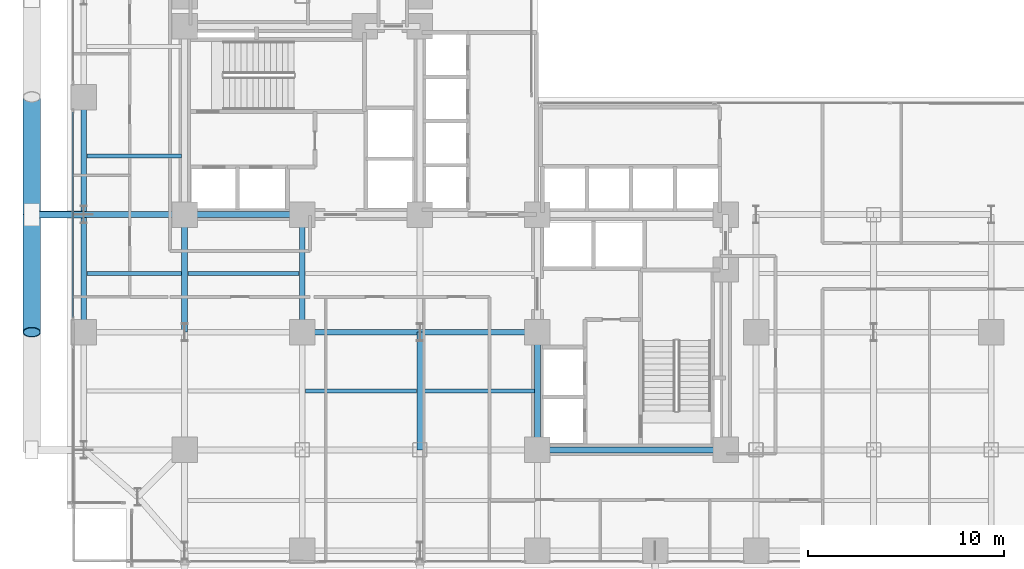
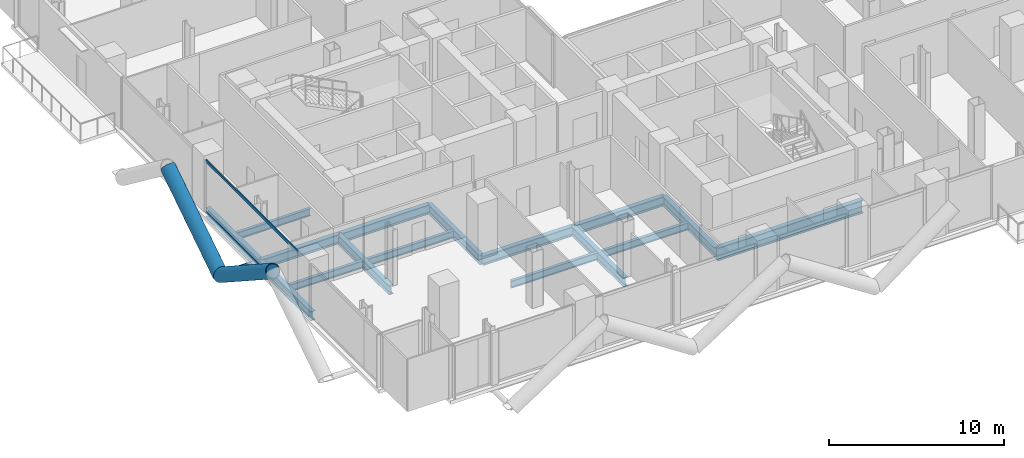
# One storey, part 4 of 27: 16 beams, 5 members, 1 element without a shape of its own.
"""IFC4 building model written with IfcOpenShell, lengths in metres."""

import ifcopenshell
import ifcopenshell.guid

model = None  # the IFC model being written
_history = None  # IfcOwnerHistory: only IFC2X3 demands one
_inside = {}  # id of a spatial element -> (the spatial element, [elements in it])
_under = {}  # id of a project, library or spatial element -> (it, [spatial elements below it])
_declared = {}  # id of a project -> (the project, [libraries it declares])
_typed = {}  # id of a type object -> (the type object, [elements of that type])
_made_of = {}  # id of a material, layer set ... -> (it, [elements and type objects made of it])


def new_model(schema):
    """Start an empty IFC model of exactly this schema.

    Asked for "IFC4X3", IfcOpenShell would pick the latest addendum, in which some entities
    have other attributes; the version numbers below select the first issue.
    IFC2X3 requires an IfcOwnerHistory on every rooted entity: one is made here for all.
    """
    global model, _history
    if schema == "IFC4X3":
        model = ifcopenshell.file(schema_version=(4, 3, 0, 0))
    else:
        model = ifcopenshell.file(schema=schema)
    _inside.clear()
    _under.clear()
    _declared.clear()
    _typed.clear()
    _made_of.clear()
    _history = None
    if model.schema == "IFC2X3":
        org = make("IfcOrganization", Name="unknown")
        user = make(
            "IfcPersonAndOrganization",
            ThePerson=make("IfcPerson", FamilyName="unknown"),
            TheOrganization=org,
        )
        app = make(
            "IfcApplication",
            ApplicationDeveloper=org,
            Version="unknown",
            ApplicationFullName="unknown",
            ApplicationIdentifier="unknown",
        )
        _history = make(
            "IfcOwnerHistory",
            OwningUser=user,
            OwningApplication=app,
            ChangeAction="ADDED",
            CreationDate=0,
        )
    return model


def make(cls, **values):
    """One entity of the class cls with the attributes given. An attribute that is None is left unset."""
    return model.create_entity(
        cls, **{name: value for name, value in values.items() if value is not None}
    )


def rooted(cls, **values):
    """An entity with a GlobalId (a new one), such as an element, a storey or a relation."""
    return make(cls, GlobalId=ifcopenshell.guid.new(), OwnerHistory=_history, **values)


def si_unit(unit_type, name, prefix=None):
    """IfcSIUnit, for example si_unit("LENGTHUNIT", "METRE", prefix="MILLI")."""
    return make("IfcSIUnit", UnitType=unit_type, Prefix=prefix, Name=name)


def assignment(units):
    """IfcUnitAssignment: the units of a project."""
    return None if units is None else make("IfcUnitAssignment", Units=units)


def point(xyz):
    """IfcCartesianPoint."""
    return None if xyz is None else make("IfcCartesianPoint", Coordinates=xyz)


def direction(xyz):
    """IfcDirection."""
    return None if xyz is None else make("IfcDirection", DirectionRatios=xyz)


def frame(location, z_axis=None, x_axis=None):
    """IfcAxis2Placement3D, a coordinate frame: its origin and axes. An axis left out is left unset."""
    return make(
        "IfcAxis2Placement3D",
        Location=point(location),
        Axis=direction(z_axis),
        RefDirection=direction(x_axis),
    )


def frame_2d(location, x_axis=None):
    """IfcAxis2Placement2D, a coordinate frame in the plane: its origin and x axis."""
    return make(
        "IfcAxis2Placement2D", Location=point(location), RefDirection=direction(x_axis)
    )


def origin():
    """The frame at (0, 0, 0) with its axes left unset."""
    return frame((0.0, 0.0, 0.0))


def origin_2d():
    """The frame at (0, 0) in the plane with its x axis left unset."""
    return frame_2d((0.0, 0.0))


def place(relative_to, where):
    """IfcLocalPlacement: puts the frame where relative to a parent placement (None: the world)."""
    return make(
        "IfcLocalPlacement", PlacementRelTo=relative_to, RelativePlacement=where
    )


def context(
    kind, dimensions, precision=None, world=None, true_north=None, identifier=None
):
    """IfcGeometricRepresentationContext, for example the 3D "Model" context."""
    return make(
        "IfcGeometricRepresentationContext",
        ContextIdentifier=identifier,
        ContextType=kind,
        CoordinateSpaceDimension=dimensions,
        Precision=precision,
        WorldCoordinateSystem=world,
        TrueNorth=true_north,
    )


def subcontext(parent, identifier, kind, view, scale=None):
    """IfcGeometricRepresentationSubContext, for example "Body" below "Model"."""
    return make(
        "IfcGeometricRepresentationSubContext",
        ContextIdentifier=identifier,
        ContextType=kind,
        ParentContext=parent,
        TargetScale=scale,
        TargetView=view,
    )


def project(units=None, contexts=None):
    """IfcProject with its units and contexts."""
    return rooted(
        "IfcProject",
        Name="project",
        RepresentationContexts=contexts,
        UnitsInContext=assignment(units),
    )


def spatial(cls, under=None, at=None, **own):
    """A site, building, storey or space (cls), placed at a placement, below another one or the project."""
    s = rooted(cls, ObjectPlacement=at, **own)
    if under is not None:
        _under.setdefault(under.id(), (under, []))[1].append(s)
    return s


def profile(cls, at=None, kind="AREA", **sizes):
    """A parametric profile (cls). Its sizes go by their IFC names, for example OverallWidth=200.0."""
    return make(cls, ProfileType=kind, Position=at, **sizes)


def hollow_rectangle(**sizes):
    """IfcRectangleHollowProfileDef."""
    return profile("IfcRectangleHollowProfileDef", **sizes)


def hollow_circle(**sizes):
    """IfcCircleHollowProfileDef."""
    return profile("IfcCircleHollowProfileDef", **sizes)


def i_section(**sizes):
    """IfcIShapeProfileDef."""
    return profile("IfcIShapeProfileDef", **sizes)


def extrude(swept, where, along, depth):
    """IfcExtrudedAreaSolid: the profile swept, set in the frame where, extruded along a direction by depth."""
    return make(
        "IfcExtrudedAreaSolid",
        SweptArea=swept,
        Position=where,
        ExtrudedDirection=direction(along),
        Depth=depth,
    )


def shape(context_of_items, identifier, shape_type, items):
    """IfcShapeRepresentation: the items that make up one representation, for example the "Body"."""
    return make(
        "IfcShapeRepresentation",
        ContextOfItems=context_of_items,
        RepresentationIdentifier=identifier,
        RepresentationType=shape_type,
        Items=items,
    )


def material(Name=None, Category=None):
    """IfcMaterial."""
    return make("IfcMaterial", Name=Name, Category=Category)


def layer(
    of_material, thickness, ventilated=None, Name=None, Category=None, Priority=None
):
    """IfcMaterialLayer: one layer of a wall or slab, of a material (None: an air gap)."""
    return make(
        "IfcMaterialLayer",
        Material=of_material,
        LayerThickness=thickness,
        IsVentilated=ventilated,
        Name=Name,
        Category=Category,
        Priority=Priority,
    )


def layer_set(layers, Name=None):
    """IfcMaterialLayerSet."""
    return make("IfcMaterialLayerSet", MaterialLayers=layers, LayerSetName=Name)


def material_profile(
    of_material, cross_section, Name=None, Category=None, Priority=None
):
    """IfcMaterialProfile: a cross section and its material."""
    return make(
        "IfcMaterialProfile",
        Name=Name,
        Material=of_material,
        Profile=cross_section,
        Priority=Priority,
        Category=Category,
    )


def profile_set(profiles, Name=None, composite=None):
    """IfcMaterialProfileSet."""
    return make(
        "IfcMaterialProfileSet",
        Name=Name,
        MaterialProfiles=profiles,
        CompositeProfile=composite,
    )


def made_of(thing, what):
    """Note that an element or type object is made of a material, layer set ...; save() writes the relation."""
    if what is not None:
        _made_of.setdefault(what.id(), (what, []))[1].append(thing)
    return thing


def type_object(cls, material=None, **own):
    """A type object (cls), such as IfcWallType, which elements share."""
    return made_of(rooted(cls, **own), material)


def element(
    cls,
    number,
    at=None,
    inside=None,
    cuts=None,
    type_object=None,
    material=None,
    context=None,
    identifier="Body",
    shape_type=None,
    held_by="IfcProductDefinitionShape",
    body=None,
    shapes=None,
    **own,
):
    """One element of the class cls, such as IfcWall. Its Tag is "e" and its number.

    at: its placement. inside: the storey or other place that contains it. cuts: it is an
    opening in that element (IfcRelVoidsElement). A single representation is given by context,
    identifier, shape_type and body (its items); several are given by shapes. held_by: the class
    of the entity that holds the representations. save() writes the other relations.
    """
    e = rooted(cls, Tag="e%d" % number, ObjectPlacement=at, **own)
    if body is not None:
        shapes = [shape(context, identifier, shape_type, body)]
    if shapes is not None:
        e.Representation = make(held_by, Representations=shapes)
    if inside is not None:
        _inside.setdefault(inside.id(), (inside, []))[1].append(e)
    if cuts is not None:
        rooted(
            "IfcRelVoidsElement", RelatingBuildingElement=cuts, RelatedOpeningElement=e
        )
    if type_object is not None:
        _typed.setdefault(type_object.id(), (type_object, []))[1].append(e)
    return made_of(e, material)


def aggregate(whole, parts):
    """IfcRelAggregates: a whole, such as a stair, and the parts it consists of."""
    return rooted("IfcRelAggregates", RelatingObject=whole, RelatedObjects=parts)


def save(model, path):
    """Write the relations noted so far, then the file.

    IfcRelAggregates (storeys below a building ...), IfcRelContainedInSpatialStructure (elements
    in a storey), IfcRelDefinesByType, IfcRelAssociatesMaterial and IfcRelDeclares: one each for
    every whole, place, type object, material and project.
    """
    for whole, parts in _under.values():
        aggregate(whole, parts)
    for where, things in _inside.values():
        rooted(
            "IfcRelContainedInSpatialStructure",
            RelatedElements=things,
            RelatingStructure=where,
        )
    for kind, things in _typed.values():
        rooted("IfcRelDefinesByType", RelatedObjects=things, RelatingType=kind)
    for what, things in _made_of.values():
        rooted("IfcRelAssociatesMaterial", RelatedObjects=things, RelatingMaterial=what)
    for by, libraries in _declared.values():
        rooted("IfcRelDeclares", RelatingContext=by, RelatedDefinitions=libraries)
    model.write(path)


model = new_model("IFC4")

# Units and contexts
model_context = context("Model", 3, precision=1e-05, world=origin(), true_north=direction((0.0, 1.0)))
body_context = subcontext(model_context, "Body", "Model", "MODEL_VIEW")
ifc_project = project(units=[si_unit("LENGTHUNIT", "METRE"), si_unit("AREAUNIT", "SQUARE_METRE"), si_unit("VOLUMEUNIT", "CUBIC_METRE"), si_unit("PLANEANGLEUNIT", "RADIAN"), si_unit("MASSUNIT", "GRAM", prefix="KILO"), si_unit("THERMODYNAMICTEMPERATUREUNIT", "KELVIN"), si_unit("POWERUNIT", "WATT")], contexts=[model_context])

# Site, building, storey
site_placement = place(None, origin())
site = spatial("IfcSite", under=ifc_project, at=site_placement, CompositionType="ELEMENT")
building_placement = place(site_placement, origin())
building = spatial("IfcBuilding", under=site, at=building_placement, Name="Svarakhadi Broadcast Tower", CompositionType="ELEMENT")
storey_placement = place(building_placement, frame((0.0, 0.0, 40.199951171875)))
storey = spatial("IfcBuildingStorey", under=building, at=storey_placement, Name="L08", CompositionType="ELEMENT", Elevation=40.199951171875)

# Beams
ifc_material_1 = material(Name="Steel S355J2 (IS 2062 E350C)", Category="steel")
ifc_material_profile_1 = material_profile(ifc_material_1, i_section(OverallWidth=0.199951171875, OverallDepth=0.5, WebThickness=0.01025390625, FlangeThickness=0.01611328125, FilletRadius=0.02099609375, at=origin_2d()), Name="NPB 500x200x91")
ifc_profile_set_1 = profile_set([ifc_material_profile_1], Name="Steel S355J2 (IS 2062 E350C)")
beam_type_1 = type_object("IfcBeamType", Name="Beam_NPB500", PredefinedType="BEAM", material=ifc_profile_set_1)
for number, where, z_axis, x_axis, name in (
    (1, (1.010009765625, 15.0, -0.5), (1.0, 0.0, 0.0), (0.0, 1.0, 0.0), "L08 Secondary Composite Beam SB002"),
    (2, (1.010009765625, 21.0, -0.5), (1.0, 0.0, 0.0), (0.0, 1.0, 0.0), "L08 Secondary Composite Beam SB003"),
):
    element("IfcBeam", number, at=place(storey_placement, frame(where, z_axis=z_axis, x_axis=x_axis)), inside=storey, type_object=beam_type_1, Name=name, PredefinedType="BEAM", context=body_context, shape_type="SweptSolid", body=[
        extrude(i_section(OverallWidth=0.199951171875, OverallDepth=0.5, WebThickness=0.01025390625, FlangeThickness=0.01611328125, FilletRadius=0.02099609375, at=origin_2d()), origin(), (0.0, 0.0, 1.0), 4.830078125),
    ])
for number, where, z_axis, x_axis, name in (
    (3, (6.159912109375, 15.0, -0.5), (1.0, 0.0, 0.0), (0.0, 1.0, 0.0), "L08 Secondary Composite Beam SB009"),
    (4, (12.159912109375, 9.0, -0.5), (1.0, 0.0, 0.0), (0.0, 1.0, 0.0), "L08 Secondary Composite Beam SB014"),
    (5, (18.159912109375, 9.0, -0.5), (1.0, 0.0, 0.0), (0.0, 1.0, 0.0), "L08 Secondary Composite Beam SB020"),
):
    element("IfcBeam", number, at=place(storey_placement, frame(where, z_axis=z_axis, x_axis=x_axis)), inside=storey, type_object=beam_type_1, Name=name, PredefinedType="BEAM", context=body_context, shape_type="SweptSolid", body=[
        extrude(i_section(OverallWidth=0.199951171875, OverallDepth=0.5, WebThickness=0.01025390625, FlangeThickness=0.01611328125, FilletRadius=0.02099609375, at=origin_2d()), origin(), (0.0, 0.0, 1.0), 5.68017578125),
    ])

# Curtain wall, members
ifc_material_2 = material(Name="Anodised Bronze Aluminium AA 6063-T6", Category="aluminium")
ifc_layer = layer(ifc_material_2, 0.219970703125)
ifc_layer_set = layer_set([ifc_layer], Name="Anodised Bronze Aluminium AA 6063-T6")
curtain_wall_type = type_object("IfcCurtainWallType", Name="CW_Sys_02", PredefinedType="NOTDEFINED", material=ifc_layer_set)
curtain_wall_placement = place(storey_placement, origin())
curtain_wall = element("IfcCurtainWall", 6, at=curtain_wall_placement, inside=storey, type_object=curtain_wall_type, Name="L08 West Curtain Wall 02 Bay 2", PredefinedType="NOTDEFINED")
ifc_material_profile_2 = material_profile(ifc_material_2, hollow_rectangle(XDim=0.074951171875, YDim=0.199951171875, WallThickness=0.0048828125, at=origin_2d()), Name="ALU TRANSOM 200x75x5")
ifc_profile_set_2 = profile_set([ifc_material_profile_2], Name="Anodised Bronze Aluminium AA 6063-T6")
member_type_1 = type_object("IfcMemberType", Name="CW_Sys_02_Trn", PredefinedType="USERDEFINED", material=ifc_profile_set_2)
member_1_placement = place(storey_placement, frame((0.300048828125, 12.7548828125, 0.03759765625), z_axis=(0.0, 1.0, 0.0), x_axis=(-1.0, 0.0, 0.0)))
member_1 = element("IfcMember", 7, at=member_1_placement, type_object=member_type_1, Name="CW-02 transom 1.1", ObjectType="TRANSOM", PredefinedType="USERDEFINED", context=body_context, shape_type="SweptSolid", body=[
    extrude(hollow_rectangle(XDim=0.074951171875, YDim=0.199951171875, WallThickness=0.0048828125, at=origin_2d()), origin(), (0.0, 0.0, 1.0), 10.490234375),
])
member_2_placement = place(storey_placement, frame((0.300048828125, 12.7548828125, 3.612548828125), z_axis=(0.0, 1.0, 0.0), x_axis=(-1.0, 0.0, 0.0)))
member_2 = element("IfcMember", 8, at=member_2_placement, type_object=member_type_1, Name="CW-02 transom 1.2", ObjectType="TRANSOM", PredefinedType="USERDEFINED", context=body_context, shape_type="SweptSolid", body=[
    extrude(hollow_rectangle(XDim=0.074951171875, YDim=0.199951171875, WallThickness=0.0048828125, at=origin_2d()), origin(), (0.0, 0.0, 1.0), 10.490234375),
])
aggregate(curtain_wall, [member_1, member_2])

# Members
ifc_material_3 = material(Name="Steel S460ML (IS 2062 E450BR)", Category="steel")
ifc_material_profile_3 = material_profile(ifc_material_3, hollow_circle(Radius=0.45703125, WallThickness=0.044921875, at=origin_2d()), Name="CHS 914x45")
ifc_profile_set_3 = profile_set([ifc_material_profile_3], Name="Steel S460ML (IS 2062 E450BR)")
member_type_2 = type_object("IfcMemberType", Name="Exo_Brace_CHS914", PredefinedType="BRACE", material=ifc_profile_set_3)
for number, where, z_axis, x_axis, name in (
    (9, (-1.800048828125, 18.0, -0.427734375), (0.0, -0.838449851971, 0.544978757136), (1.0, 0.0, 0.0), "L08 Exposed Bronze Exoskeleton Diagonal W07"),
    (10, (-1.800048828125, 18.0, -0.427734375), (0.0, 0.838449851971, 0.544978757136), (-1.0, 0.0, 0.0), "L08 Exposed Bronze Exoskeleton Diagonal W08"),
):
    element("IfcMember", number, at=place(storey_placement, frame(where, z_axis=z_axis, x_axis=x_axis)), inside=storey, type_object=member_type_2, Name=name, PredefinedType="BRACE", context=body_context, shape_type="SweptSolid", body=[
        extrude(hollow_circle(Radius=0.45703125, WallThickness=0.044921875, at=origin_2d()), origin(), (0.0, 0.0, 1.0), 7.156005859375),
    ])
ifc_material_profile_4 = material_profile(ifc_material_3, hollow_circle(Radius=0.177734375, WallThickness=0.02001953125, at=origin_2d()), Name="CHS 355.6x20")
ifc_profile_set_4 = profile_set([ifc_material_profile_4], Name="Steel S460ML (IS 2062 E450BR)")
member_type_3 = type_object("IfcMemberType", Name="Exo_Radial_Strut_Z1", PredefinedType="STRUT", material=ifc_profile_set_4)
member_3_placement = place(storey_placement, frame((-1.800048828125, 18.0, -0.427734375), z_axis=(1.0, 0.0, 0.0), x_axis=(0.0, 1.0, 0.0)))
element("IfcMember", 11, at=member_3_placement, inside=storey, type_object=member_type_3, Name="L08 Exoskeleton Radial Tie Strut W06", PredefinedType="STRUT", context=body_context, shape_type="SweptSolid", body=[
    extrude(hollow_circle(Radius=0.177734375, WallThickness=0.02001953125, at=origin_2d()), origin(), (0.0, 0.0, 1.0), 2.650146484375),
])

# Beams
ifc_material_profile_5 = material_profile(ifc_material_1, i_section(OverallWidth=0.300048828125, OverallDepth=0.64990234375, WebThickness=0.01611328125, FlangeThickness=0.031005859375, FilletRadius=0.027099609375, at=origin_2d()), Name="WPB 650x300x225")
ifc_profile_set_5 = profile_set([ifc_material_profile_5], Name="Steel S355J2 (IS 2062 E350C)")
beam_type_2 = type_object("IfcBeamType", Name="Girder_WPB650", PredefinedType="USERDEFINED", material=ifc_profile_set_5)
for number, where, z_axis, x_axis, name in (
    (12, (12.0, 12.0, -0.574951171875), (1.0, 0.0, 0.0), (0.0, 1.0, 0.0), "L08 Primary E-W Girder G021"),
    (13, (18.0, 12.0, -0.574951171875), (1.0, 0.0, 0.0), (0.0, 1.0, 0.0), "L08 Primary E-W Girder G022"),
):
    element("IfcBeam", number, at=place(storey_placement, frame(where, z_axis=z_axis, x_axis=x_axis)), inside=storey, type_object=beam_type_2, Name=name, ObjectType="GIRDER", PredefinedType="USERDEFINED", context=body_context, shape_type="SweptSolid", body=[
        extrude(i_section(OverallWidth=0.300048828125, OverallDepth=0.64990234375, WebThickness=0.01611328125, FlangeThickness=0.031005859375, FilletRadius=0.027099609375, at=origin_2d()), origin(), (0.0, 0.0, 1.0), 6.0),
    ])
beam_1_placement = place(storey_placement, frame((0.85009765625, 18.0, -0.574951171875), z_axis=(1.0, 0.0, 0.0), x_axis=(0.0, 1.0, 0.0)))
element("IfcBeam", 14, at=beam_1_placement, inside=storey, type_object=beam_type_2, Name="L08 Primary E-W Girder G025", ObjectType="GIRDER", PredefinedType="USERDEFINED", context=body_context, shape_type="SweptSolid", body=[
    extrude(i_section(OverallWidth=0.300048828125, OverallDepth=0.64990234375, WebThickness=0.01611328125, FlangeThickness=0.031005859375, FilletRadius=0.027099609375, at=origin_2d()), origin(), (0.0, 0.0, 1.0), 5.14990234375),
])
for number, where, z_axis, x_axis, name in (
    (15, (6.0, 18.0, -0.574951171875), (1.0, 0.0, 0.0), (0.0, 1.0, 0.0), "L08 Primary E-W Girder G026"),
    (16, (0.85009765625, 12.0, -0.574951171875), (0.0, 1.0, 0.0), (-1.0, 0.0, 0.0), "L08 Primary N-S Girder G046"),
    (17, (0.85009765625, 18.0, -0.574951171875), (0.0, 1.0, 0.0), (-1.0, 0.0, 0.0), "L08 Primary N-S Girder G047"),
    (18, (6.0, 12.0, -0.574951171875), (0.0, 1.0, 0.0), (-1.0, 0.0, 0.0), "L08 Primary N-S Girder G053"),
    (19, (12.0, 12.0, -0.574951171875), (0.0, 1.0, 0.0), (-1.0, 0.0, 0.0), "L08 Primary N-S Girder G060"),
    (20, (18.0, 6.0, -0.574951171875), (0.0, 1.0, 0.0), (-1.0, 0.0, 0.0), "L08 Primary N-S Girder G065"),
    (21, (24.0, 6.0, -0.574951171875), (0.0, 1.0, 0.0), (-1.0, 0.0, 0.0), "L08 Primary N-S Girder G072"),
):
    element("IfcBeam", number, at=place(storey_placement, frame(where, z_axis=z_axis, x_axis=x_axis)), inside=storey, type_object=beam_type_2, Name=name, ObjectType="GIRDER", PredefinedType="USERDEFINED", context=body_context, shape_type="SweptSolid", body=[
        extrude(i_section(OverallWidth=0.300048828125, OverallDepth=0.64990234375, WebThickness=0.01611328125, FlangeThickness=0.031005859375, FilletRadius=0.027099609375, at=origin_2d()), origin(), (0.0, 0.0, 1.0), 6.0),
    ])
ifc_material_profile_6 = material_profile(ifc_material_3, i_section(OverallWidth=0.300048828125, OverallDepth=0.89990234375, WebThickness=0.0185546875, FlangeThickness=0.034912109375, FilletRadius=0.030029296875, at=origin_2d()), Name="WPB 900x300x291")
ifc_profile_set_6 = profile_set([ifc_material_profile_6], Name="Steel S460ML (IS 2062 E450BR)")
beam_type_3 = type_object("IfcBeamType", Name="Girder_WPB900", PredefinedType="USERDEFINED", material=ifc_profile_set_6)
beam_2_placement = place(storey_placement, frame((24.0, 6.0, -0.699951171875), z_axis=(1.0, 0.0, 0.0), x_axis=(0.0, 1.0, 0.0)))
element("IfcBeam", 22, at=beam_2_placement, inside=storey, type_object=beam_type_3, Name="L08 Primary E-W Girder G015", ObjectType="GIRDER", PredefinedType="USERDEFINED", context=body_context, shape_type="SweptSolid", body=[
    extrude(i_section(OverallWidth=0.300048828125, OverallDepth=0.89990234375, WebThickness=0.0185546875, FlangeThickness=0.034912109375, FilletRadius=0.030029296875, at=origin_2d()), origin(), (0.0, 0.0, 1.0), 9.60009765625),
])

save(model, "model.ifc")
